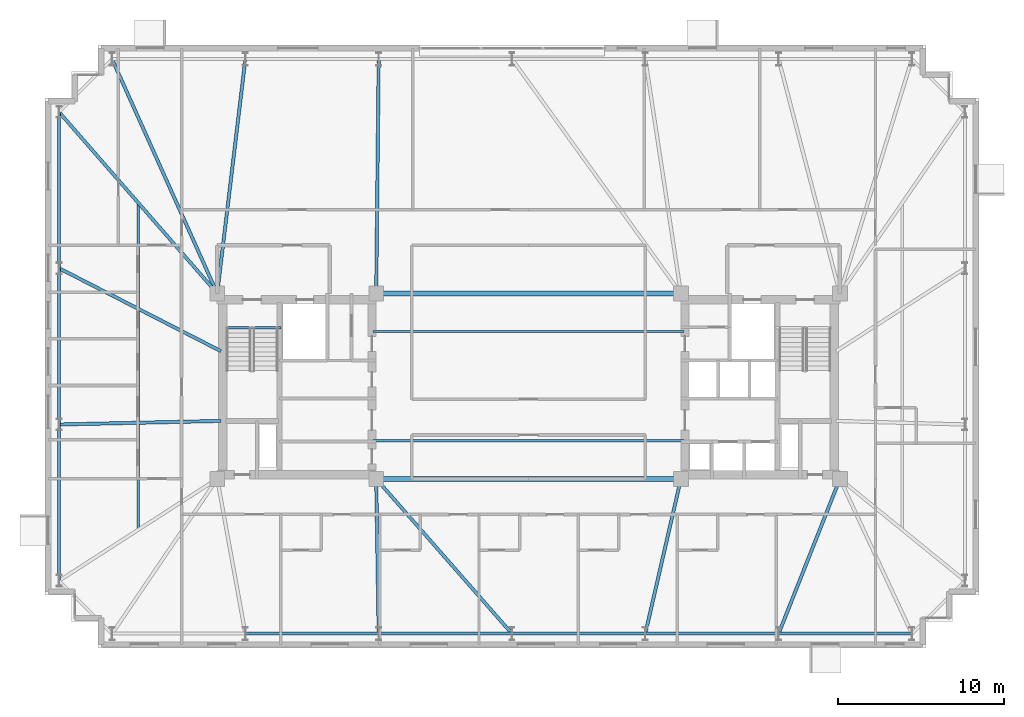
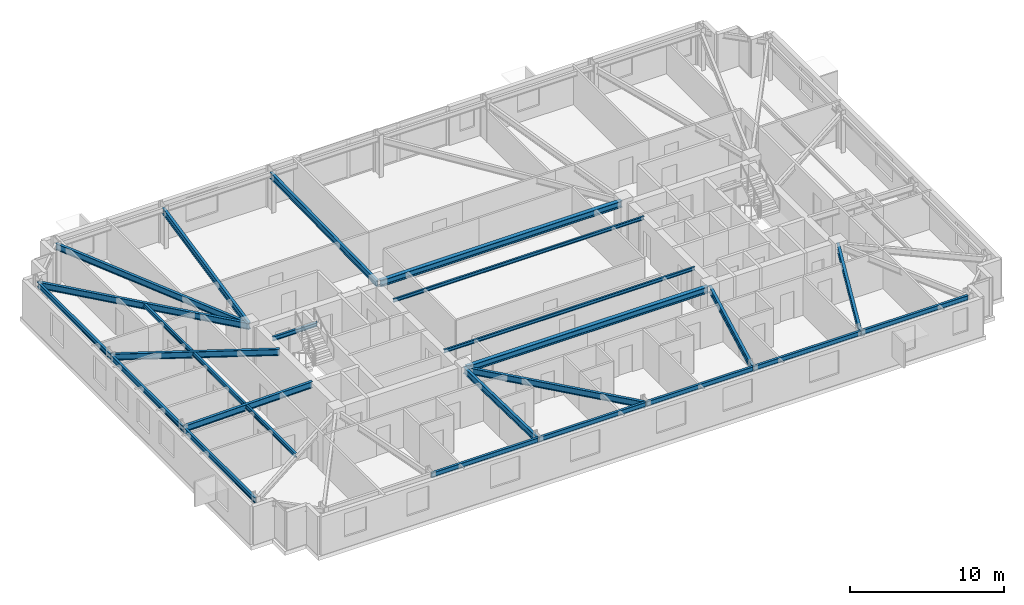
# One storey, part 4 of 18: 24 beams.
"""IFC4 building model written with IfcOpenShell, lengths in metres."""

import ifcopenshell
import ifcopenshell.guid

model = None  # the IFC model being written
_history = None  # IfcOwnerHistory: only IFC2X3 demands one
_inside = {}  # id of a spatial element -> (the spatial element, [elements in it])
_under = {}  # id of a project, library or spatial element -> (it, [spatial elements below it])
_declared = {}  # id of a project -> (the project, [libraries it declares])
_typed = {}  # id of a type object -> (the type object, [elements of that type])
_made_of = {}  # id of a material, layer set ... -> (it, [elements and type objects made of it])


def new_model(schema):
    """Start an empty IFC model of exactly this schema.

    Asked for "IFC4X3", IfcOpenShell would pick the latest addendum, in which some entities
    have other attributes; the version numbers below select the first issue.
    IFC2X3 requires an IfcOwnerHistory on every rooted entity: one is made here for all.
    """
    global model, _history
    if schema == "IFC4X3":
        model = ifcopenshell.file(schema_version=(4, 3, 0, 0))
    else:
        model = ifcopenshell.file(schema=schema)
    _inside.clear()
    _under.clear()
    _declared.clear()
    _typed.clear()
    _made_of.clear()
    _history = None
    if model.schema == "IFC2X3":
        org = make("IfcOrganization", Name="unknown")
        user = make(
            "IfcPersonAndOrganization",
            ThePerson=make("IfcPerson", FamilyName="unknown"),
            TheOrganization=org,
        )
        app = make(
            "IfcApplication",
            ApplicationDeveloper=org,
            Version="unknown",
            ApplicationFullName="unknown",
            ApplicationIdentifier="unknown",
        )
        _history = make(
            "IfcOwnerHistory",
            OwningUser=user,
            OwningApplication=app,
            ChangeAction="ADDED",
            CreationDate=0,
        )
    return model


def make(cls, **values):
    """One entity of the class cls with the attributes given. An attribute that is None is left unset."""
    return model.create_entity(
        cls, **{name: value for name, value in values.items() if value is not None}
    )


def rooted(cls, **values):
    """An entity with a GlobalId (a new one), such as an element, a storey or a relation."""
    return make(cls, GlobalId=ifcopenshell.guid.new(), OwnerHistory=_history, **values)


def si_unit(unit_type, name, prefix=None):
    """IfcSIUnit, for example si_unit("LENGTHUNIT", "METRE", prefix="MILLI")."""
    return make("IfcSIUnit", UnitType=unit_type, Prefix=prefix, Name=name)


def assignment(units):
    """IfcUnitAssignment: the units of a project."""
    return None if units is None else make("IfcUnitAssignment", Units=units)


def point(xyz):
    """IfcCartesianPoint."""
    return None if xyz is None else make("IfcCartesianPoint", Coordinates=xyz)


def direction(xyz):
    """IfcDirection."""
    return None if xyz is None else make("IfcDirection", DirectionRatios=xyz)


def frame(location, z_axis=None, x_axis=None):
    """IfcAxis2Placement3D, a coordinate frame: its origin and axes. An axis left out is left unset."""
    return make(
        "IfcAxis2Placement3D",
        Location=point(location),
        Axis=direction(z_axis),
        RefDirection=direction(x_axis),
    )


def frame_2d(location, x_axis=None):
    """IfcAxis2Placement2D, a coordinate frame in the plane: its origin and x axis."""
    return make(
        "IfcAxis2Placement2D", Location=point(location), RefDirection=direction(x_axis)
    )


def origin():
    """The frame at (0, 0, 0) with its axes left unset."""
    return frame((0.0, 0.0, 0.0))


def origin_2d():
    """The frame at (0, 0) in the plane with its x axis left unset."""
    return frame_2d((0.0, 0.0))


def place(relative_to, where):
    """IfcLocalPlacement: puts the frame where relative to a parent placement (None: the world)."""
    return make(
        "IfcLocalPlacement", PlacementRelTo=relative_to, RelativePlacement=where
    )


def context(
    kind, dimensions, precision=None, world=None, true_north=None, identifier=None
):
    """IfcGeometricRepresentationContext, for example the 3D "Model" context."""
    return make(
        "IfcGeometricRepresentationContext",
        ContextIdentifier=identifier,
        ContextType=kind,
        CoordinateSpaceDimension=dimensions,
        Precision=precision,
        WorldCoordinateSystem=world,
        TrueNorth=true_north,
    )


def subcontext(parent, identifier, kind, view, scale=None):
    """IfcGeometricRepresentationSubContext, for example "Body" below "Model"."""
    return make(
        "IfcGeometricRepresentationSubContext",
        ContextIdentifier=identifier,
        ContextType=kind,
        ParentContext=parent,
        TargetScale=scale,
        TargetView=view,
    )


def project(units=None, contexts=None):
    """IfcProject with its units and contexts."""
    return rooted(
        "IfcProject",
        Name="project",
        RepresentationContexts=contexts,
        UnitsInContext=assignment(units),
    )


def spatial(cls, under=None, at=None, **own):
    """A site, building, storey or space (cls), placed at a placement, below another one or the project."""
    s = rooted(cls, ObjectPlacement=at, **own)
    if under is not None:
        _under.setdefault(under.id(), (under, []))[1].append(s)
    return s


def profile(cls, at=None, kind="AREA", **sizes):
    """A parametric profile (cls). Its sizes go by their IFC names, for example OverallWidth=200.0."""
    return make(cls, ProfileType=kind, Position=at, **sizes)


def i_section(**sizes):
    """IfcIShapeProfileDef."""
    return profile("IfcIShapeProfileDef", **sizes)


def extrude(swept, where, along, depth):
    """IfcExtrudedAreaSolid: the profile swept, set in the frame where, extruded along a direction by depth."""
    return make(
        "IfcExtrudedAreaSolid",
        SweptArea=swept,
        Position=where,
        ExtrudedDirection=direction(along),
        Depth=depth,
    )


def shape(context_of_items, identifier, shape_type, items):
    """IfcShapeRepresentation: the items that make up one representation, for example the "Body"."""
    return make(
        "IfcShapeRepresentation",
        ContextOfItems=context_of_items,
        RepresentationIdentifier=identifier,
        RepresentationType=shape_type,
        Items=items,
    )


def material(Name=None, Category=None):
    """IfcMaterial."""
    return make("IfcMaterial", Name=Name, Category=Category)


def material_profile(
    of_material, cross_section, Name=None, Category=None, Priority=None
):
    """IfcMaterialProfile: a cross section and its material."""
    return make(
        "IfcMaterialProfile",
        Name=Name,
        Material=of_material,
        Profile=cross_section,
        Priority=Priority,
        Category=Category,
    )


def profile_set(profiles, Name=None, composite=None):
    """IfcMaterialProfileSet."""
    return make(
        "IfcMaterialProfileSet",
        Name=Name,
        MaterialProfiles=profiles,
        CompositeProfile=composite,
    )


def made_of(thing, what):
    """Note that an element or type object is made of a material, layer set ...; save() writes the relation."""
    if what is not None:
        _made_of.setdefault(what.id(), (what, []))[1].append(thing)
    return thing


def type_object(cls, material=None, **own):
    """A type object (cls), such as IfcWallType, which elements share."""
    return made_of(rooted(cls, **own), material)


def element(
    cls,
    number,
    at=None,
    inside=None,
    cuts=None,
    type_object=None,
    material=None,
    context=None,
    identifier="Body",
    shape_type=None,
    held_by="IfcProductDefinitionShape",
    body=None,
    shapes=None,
    **own,
):
    """One element of the class cls, such as IfcWall. Its Tag is "e" and its number.

    at: its placement. inside: the storey or other place that contains it. cuts: it is an
    opening in that element (IfcRelVoidsElement). A single representation is given by context,
    identifier, shape_type and body (its items); several are given by shapes. held_by: the class
    of the entity that holds the representations. save() writes the other relations.
    """
    e = rooted(cls, Tag="e%d" % number, ObjectPlacement=at, **own)
    if body is not None:
        shapes = [shape(context, identifier, shape_type, body)]
    if shapes is not None:
        e.Representation = make(held_by, Representations=shapes)
    if inside is not None:
        _inside.setdefault(inside.id(), (inside, []))[1].append(e)
    if cuts is not None:
        rooted(
            "IfcRelVoidsElement", RelatingBuildingElement=cuts, RelatedOpeningElement=e
        )
    if type_object is not None:
        _typed.setdefault(type_object.id(), (type_object, []))[1].append(e)
    return made_of(e, material)


def aggregate(whole, parts):
    """IfcRelAggregates: a whole, such as a stair, and the parts it consists of."""
    return rooted("IfcRelAggregates", RelatingObject=whole, RelatedObjects=parts)


def save(model, path):
    """Write the relations noted so far, then the file.

    IfcRelAggregates (storeys below a building ...), IfcRelContainedInSpatialStructure (elements
    in a storey), IfcRelDefinesByType, IfcRelAssociatesMaterial and IfcRelDeclares: one each for
    every whole, place, type object, material and project.
    """
    for whole, parts in _under.values():
        aggregate(whole, parts)
    for where, things in _inside.values():
        rooted(
            "IfcRelContainedInSpatialStructure",
            RelatedElements=things,
            RelatingStructure=where,
        )
    for kind, things in _typed.values():
        rooted("IfcRelDefinesByType", RelatedObjects=things, RelatingType=kind)
    for what, things in _made_of.values():
        rooted("IfcRelAssociatesMaterial", RelatedObjects=things, RelatingMaterial=what)
    for by, libraries in _declared.values():
        rooted("IfcRelDeclares", RelatingContext=by, RelatedDefinitions=libraries)
    model.write(path)


model = new_model("IFC4")

# Units and contexts
model_context = context("Model", 3, precision=1e-05, world=origin(), true_north=direction((0.0, 1.0)))
body_context = subcontext(model_context, "Body", "Model", "MODEL_VIEW")
ifc_project = project(units=[si_unit("LENGTHUNIT", "METRE"), si_unit("AREAUNIT", "SQUARE_METRE"), si_unit("VOLUMEUNIT", "CUBIC_METRE"), si_unit("PLANEANGLEUNIT", "RADIAN"), si_unit("MASSUNIT", "GRAM", prefix="KILO")], contexts=[model_context])

# Site, building, storey
site_placement = place(None, origin())
site = spatial("IfcSite", under=ifc_project, at=site_placement, CompositionType="ELEMENT")
building_placement = place(site_placement, origin())
building = spatial("IfcBuilding", under=site, at=building_placement, Name="Qobustan Lattice House", CompositionType="ELEMENT")
storey_placement = place(building_placement, frame((0.0, 0.0, 154.449951171875)))
storey = spatial("IfcBuildingStorey", under=building, at=storey_placement, Name="L43", CompositionType="ELEMENT", Elevation=154.449951171875)

# Beams
ifc_material_1 = material(Name="Steel S355", Category="steel")
ifc_material_profile_1 = material_profile(ifc_material_1, i_section(OverallWidth=0.300048828125, OverallDepth=0.5, WebThickness=0.014404296875, FlangeThickness=0.028076171875, FilletRadius=0.027099609375, at=origin_2d()), Name="HEB500")
ifc_profile_set_1 = profile_set([ifc_material_profile_1], Name="Steel S355")
beam_type_1 = type_object("IfcBeamType", Name="BM-CG-HEB500", PredefinedType="USERDEFINED", material=ifc_profile_set_1)
for number, where, z_axis, x_axis, name in (
    (1, (-9.050048828125, -5.60009765625, 2.7900390625), (1.0, 0.0, 0.0), (0.0, 1.0, 0.0), "L43 core spine girder CG-CS"),
    (2, (-9.050048828125, 5.60009765625, 2.7900390625), (1.0, 0.0, 0.0), (0.0, 1.0, 0.0), "L43 core spine girder CG-CN"),
):
    element("IfcBeam", number, at=place(storey_placement, frame(where, z_axis=z_axis, x_axis=x_axis)), inside=storey, type_object=beam_type_1, Name=name, ObjectType="GIRDER", PredefinedType="USERDEFINED", context=body_context, shape_type="SweptSolid", body=[
        extrude(i_section(OverallWidth=0.300048828125, OverallDepth=0.5, WebThickness=0.014404296875, FlangeThickness=0.028076171875, FilletRadius=0.027099609375, at=origin_2d()), origin(), (0.0, 0.0, 1.0), 18.10009765625),
    ])
ifc_material_2 = material(Name="Steel S355", Category="steel")
ifc_material_profile_2 = material_profile(ifc_material_2, i_section(OverallWidth=0.199951171875, OverallDepth=0.5, WebThickness=0.01025390625, FlangeThickness=0.01611328125, FilletRadius=0.02099609375, at=origin_2d()), Name="IPE500")
ifc_profile_set_2 = profile_set([ifc_material_profile_2], Name="Steel S355")
beam_type_2 = type_object("IfcBeamType", Name="BM-FLG-IPE500", PredefinedType="USERDEFINED", material=ifc_profile_set_2)
beam_1_placement = place(storey_placement, frame((-9.05029296875, -14.925048828125, 2.7900390625), z_axis=(-0.016063870849, 0.999870967702, 0.0), x_axis=(-0.999870967702, -0.016063870849, 0.0)))
element("IfcBeam", 3, at=beam_1_placement, inside=storey, type_object=beam_type_2, Name="L43 primary floor girder RAD-S3", ObjectType="GIRDER", PredefinedType="USERDEFINED", context=body_context, shape_type="SweptSolid", body=[
    extrude(i_section(OverallWidth=0.199951171875, OverallDepth=0.5, WebThickness=0.01025390625, FlangeThickness=0.01611328125, FilletRadius=0.02099609375, at=origin_2d()), origin(), (0.0, 0.0, 1.0), 9.30126953125),
])
beam_2_placement = place(storey_placement, frame((-1.0166015625, -14.93115234375, 2.7900390625), z_axis=(-0.659362380156, 0.751825279992, 0.0), x_axis=(-0.751825279992, -0.659362380156, 0.0)))
element("IfcBeam", 4, at=beam_2_placement, inside=storey, type_object=beam_type_2, Name="L43 primary floor girder RAD-S4", ObjectType="GIRDER", PredefinedType="USERDEFINED", context=body_context, shape_type="SweptSolid", body=[
    extrude(i_section(OverallWidth=0.199951171875, OverallDepth=0.5, WebThickness=0.01025390625, FlangeThickness=0.01611328125, FilletRadius=0.02099609375, at=origin_2d()), origin(), (0.0, 0.0, 1.0), 12.38623046875),
])
beam_3_placement = place(storey_placement, frame((7.0556640625, -14.925537109375, 2.7900390625), z_axis=(0.224091568854, 0.974568093449, 0.0), x_axis=(-0.974568093449, 0.224091568854, 0.0)))
element("IfcBeam", 5, at=beam_3_placement, inside=storey, type_object=beam_type_2, Name="L43 primary floor girder RAD-S5", ObjectType="GIRDER", PredefinedType="USERDEFINED", context=body_context, shape_type="SweptSolid", body=[
    extrude(i_section(OverallWidth=0.199951171875, OverallDepth=0.5, WebThickness=0.01025390625, FlangeThickness=0.01611328125, FilletRadius=0.02099609375, at=origin_2d()), origin(), (0.0, 0.0, 1.0), 9.543701171875),
])
beam_4_placement = place(storey_placement, frame((15.109130859375, -14.9267578125, 2.7900390625), z_axis=(0.367963628184, 0.929840184297, 0.0), x_axis=(-0.929840184297, 0.367963628184, 0.0)))
element("IfcBeam", 6, at=beam_4_placement, inside=storey, type_object=beam_type_2, Name="L43 primary floor girder RAD-S6", ObjectType="GIRDER", PredefinedType="USERDEFINED", context=body_context, shape_type="SweptSolid", body=[
    extrude(i_section(OverallWidth=0.199951171875, OverallDepth=0.5, WebThickness=0.01025390625, FlangeThickness=0.01611328125, FilletRadius=0.02099609375, at=origin_2d()), origin(), (0.0, 0.0, 1.0), 10.00537109375),
])
beam_5_placement = place(storey_placement, frame((-25.139892578125, 19.727294921875, 2.7900390625), z_axis=(0.409426782108, -0.912342978321, 0.0), x_axis=(0.912342978321, 0.409426782108, 0.0)))
element("IfcBeam", 7, at=beam_5_placement, inside=storey, type_object=beam_type_2, Name="L43 primary floor girder RAD-N7W", ObjectType="GIRDER", PredefinedType="USERDEFINED", context=body_context, shape_type="SweptSolid", body=[
    extrude(i_section(OverallWidth=0.199951171875, OverallDepth=0.5, WebThickness=0.01025390625, FlangeThickness=0.01611328125, FilletRadius=0.02099609375, at=origin_2d()), origin(), (0.0, 0.0, 1.0), 15.459716796875),
])
beam_6_placement = place(storey_placement, frame((-17.10302734375, 19.72509765625, 2.7900390625), z_axis=(-0.119287572963, -0.992859745854, 0.0), x_axis=(0.992859745854, -0.119287572963, 0.0)))
element("IfcBeam", 8, at=beam_6_placement, inside=storey, type_object=beam_type_2, Name="L43 primary floor girder RAD-N6", ObjectType="GIRDER", PredefinedType="USERDEFINED", context=body_context, shape_type="SweptSolid", body=[
    extrude(i_section(OverallWidth=0.199951171875, OverallDepth=0.5, WebThickness=0.01025390625, FlangeThickness=0.01611328125, FilletRadius=0.02099609375, at=origin_2d()), origin(), (0.0, 0.0, 1.0), 14.20166015625),
])
beam_7_placement = place(storey_placement, frame((-9.05029296875, 19.72509765625, 2.7900390625), z_axis=(-0.010596073732, -0.999943860035, 0.0), x_axis=(0.999943860035, -0.010596073732, 0.0)))
element("IfcBeam", 9, at=beam_7_placement, inside=storey, type_object=beam_type_2, Name="L43 primary floor girder RAD-N5", ObjectType="GIRDER", PredefinedType="USERDEFINED", context=body_context, shape_type="SweptSolid", body=[
    extrude(i_section(OverallWidth=0.199951171875, OverallDepth=0.5, WebThickness=0.01025390625, FlangeThickness=0.01611328125, FilletRadius=0.02099609375, at=origin_2d()), origin(), (0.0, 0.0, 1.0), 14.100830078125),
])
beam_8_placement = place(storey_placement, frame((-28.33349609375, 16.53125, 2.7900390625), z_axis=(0.657282573618, -0.75364422536, 0.0), x_axis=(0.75364422536, 0.657282573618, 0.0)))
element("IfcBeam", 10, at=beam_8_placement, inside=storey, type_object=beam_type_2, Name="L43 primary floor girder RAD-W1", ObjectType="GIRDER", PredefinedType="USERDEFINED", context=body_context, shape_type="SweptSolid", body=[
    extrude(i_section(OverallWidth=0.199951171875, OverallDepth=0.5, WebThickness=0.01025390625, FlangeThickness=0.01611328125, FilletRadius=0.02099609375, at=origin_2d()), origin(), (0.0, 0.0, 1.0), 14.4794921875),
])
beam_9_placement = place(storey_placement, frame((-28.32763671875, 7.105224609375, 2.7900390625), z_axis=(0.89014541584, -0.455676572426, 0.0), x_axis=(0.455676572426, 0.89014541584, 0.0)))
element("IfcBeam", 11, at=beam_9_placement, inside=storey, type_object=beam_type_2, Name="L43 primary floor girder RAD-W2", ObjectType="GIRDER", PredefinedType="USERDEFINED", context=body_context, shape_type="SweptSolid", body=[
    extrude(i_section(OverallWidth=0.199951171875, OverallDepth=0.5, WebThickness=0.01025390625, FlangeThickness=0.01611328125, FilletRadius=0.02099609375, at=origin_2d()), origin(), (0.0, 0.0, 1.0), 10.959228515625),
])
beam_10_placement = place(storey_placement, frame((-28.324951171875, -2.316162109375, 2.7900390625), z_axis=(0.999755655209, 0.022104974047, 0.0), x_axis=(-0.022104974047, 0.999755655209, 0.0)))
element("IfcBeam", 12, at=beam_10_placement, inside=storey, type_object=beam_type_2, Name="L43 primary floor girder RAD-W3", ObjectType="GIRDER", PredefinedType="USERDEFINED", context=body_context, shape_type="SweptSolid", body=[
    extrude(i_section(OverallWidth=0.199951171875, OverallDepth=0.5, WebThickness=0.01025390625, FlangeThickness=0.01611328125, FilletRadius=0.02099609375, at=origin_2d()), origin(), (0.0, 0.0, 1.0), 9.75244140625),
])
ifc_material_3 = material(Name="Steel S355", Category="steel")
ifc_material_profile_3 = material_profile(ifc_material_3, i_section(OverallWidth=0.135009765625, OverallDepth=0.27001953125, WebThickness=0.006591796875, FlangeThickness=0.01025390625, FilletRadius=0.014892578125, at=origin_2d()), Name="IPE270")
ifc_profile_set_3 = profile_set([ifc_material_profile_3], Name="Steel S355")
beam_type_3 = type_object("IfcBeamType", Name="BM-JST-IPE270", PredefinedType="JOIST", material=ifc_profile_set_3)
for number, where, z_axis, x_axis, name in (
    (13, (-9.39990234375, -3.300048828125, 2.905029296875), (1.0, 0.0, 0.0), (0.0, 1.0, 0.0), "L43 central span floor joist 1"),
    (14, (-9.39990234375, 3.300048828125, 2.905029296875), (1.0, 0.0, 0.0), (0.0, 1.0, 0.0), "L43 central span floor joist 2"),
):
    element("IfcBeam", number, at=place(storey_placement, frame(where, z_axis=z_axis, x_axis=x_axis)), inside=storey, type_object=beam_type_3, Name=name, PredefinedType="JOIST", context=body_context, shape_type="SweptSolid", body=[
        extrude(i_section(OverallWidth=0.135009765625, OverallDepth=0.27001953125, WebThickness=0.006591796875, FlangeThickness=0.01025390625, FilletRadius=0.014892578125, at=origin_2d()), origin(), (0.0, 0.0, 1.0), 18.7998046875),
    ])
ifc_material_4 = material(Name="Steel S355", Category="steel")
ifc_material_profile_4 = material_profile(ifc_material_4, i_section(OverallWidth=0.159912109375, OverallDepth=0.330078125, WebThickness=0.007568359375, FlangeThickness=0.011474609375, FilletRadius=0.01806640625, at=origin_2d()), Name="IPE330")
ifc_profile_set_4 = profile_set([ifc_material_profile_4], Name="Steel S355")
beam_type_4 = type_object("IfcBeamType", Name="BM-SEC-IPE330", PredefinedType="BEAM", material=ifc_profile_set_4)
beam_11_placement = place(storey_placement, frame((-23.574951171875, 11.074951171875, 2.875), z_axis=(0.0, -1.0, 0.0), x_axis=(1.0, 0.0, 0.0)))
element("IfcBeam", 15, at=beam_11_placement, inside=storey, type_object=beam_type_4, Name="L43 west wing secondary beam", PredefinedType="BEAM", context=body_context, shape_type="SweptSolid", body=[
    extrude(i_section(OverallWidth=0.159912109375, OverallDepth=0.330078125, WebThickness=0.007568359375, FlangeThickness=0.011474609375, FilletRadius=0.01806640625, at=origin_2d()), origin(), (0.0, 0.0, 1.0), 19.75),
])
ifc_material_5 = material(Name="Steel S355", Category="steel")
ifc_material_profile_5 = material_profile(ifc_material_5, i_section(OverallWidth=0.159912109375, OverallDepth=0.330078125, WebThickness=0.007568359375, FlangeThickness=0.011474609375, FilletRadius=0.01806640625, at=origin_2d()), Name="IPE330")
ifc_profile_set_5 = profile_set([ifc_material_profile_5], Name="Steel S355")
beam_type_5 = type_object("IfcBeamType", Name="BM-SPD-IPE330", PredefinedType="SPANDREL", material=ifc_profile_set_5)
beam_12_placement = place(storey_placement, frame((-18.300048828125, 3.52001953125, 2.875), z_axis=(1.0, 0.0, 0.0), x_axis=(0.0, 1.0, 0.0)))
element("IfcBeam", 16, at=beam_12_placement, inside=storey, type_object=beam_type_5, Name="L43 west stair landing trimmer beam", PredefinedType="SPANDREL", context=body_context, shape_type="SweptSolid", body=[
    extrude(i_section(OverallWidth=0.159912109375, OverallDepth=0.330078125, WebThickness=0.007568359375, FlangeThickness=0.011474609375, FilletRadius=0.01806640625, at=origin_2d()), origin(), (0.0, 0.0, 1.0), 3.35009765625),
])
ifc_material_6 = material(Name="Steel S355", Category="steel")
ifc_material_profile_6 = material_profile(ifc_material_6, i_section(OverallWidth=0.179931640625, OverallDepth=0.39990234375, WebThickness=0.008544921875, FlangeThickness=0.013427734375, FilletRadius=0.02099609375, at=origin_2d()), Name="IPE400")
ifc_profile_set_6 = profile_set([ifc_material_profile_6], Name="Steel S355")
beam_type_6 = type_object("IfcBeamType", Name="BM-SPD-IPE400", PredefinedType="SPANDREL", material=ifc_profile_set_6)
for number, where, z_axis, x_axis, name in (
    (17, (-17.074951171875, -14.949951171875, 2.840087890625), (1.0, 0.0, 0.0), (0.0, 1.0, 0.0), "L43 perimeter spandrel S2-S3"),
    (18, (-9.02490234375, -14.949951171875, 2.840087890625), (1.0, 0.0, 0.0), (0.0, 1.0, 0.0), "L43 perimeter spandrel S3-S4"),
    (19, (-0.97509765625, -14.949951171875, 2.840087890625), (1.0, 0.0, 0.0), (0.0, 1.0, 0.0), "L43 perimeter spandrel S4-S5"),
    (20, (7.074951171875, -14.949951171875, 2.840087890625), (1.0, 0.0, 0.0), (0.0, 1.0, 0.0), "L43 perimeter spandrel S5-S6"),
    (21, (15.125, -14.949951171875, 2.840087890625), (1.0, 0.0, 0.0), (0.0, 1.0, 0.0), "L43 perimeter spandrel S6-S7"),
):
    element("IfcBeam", number, at=place(storey_placement, frame(where, z_axis=z_axis, x_axis=x_axis)), inside=storey, type_object=beam_type_6, Name=name, PredefinedType="SPANDREL", context=body_context, shape_type="SweptSolid", body=[
        extrude(i_section(OverallWidth=0.179931640625, OverallDepth=0.39990234375, WebThickness=0.008544921875, FlangeThickness=0.013427734375, FilletRadius=0.02099609375, at=origin_2d()), origin(), (0.0, 0.0, 1.0), 8.0),
    ])
beam_13_placement = place(storey_placement, frame((-28.35009765625, 16.52490234375, 2.840087890625), z_axis=(0.0, -1.0, 0.0), x_axis=(1.0, 0.0, 0.0)))
element("IfcBeam", 22, at=beam_13_placement, inside=storey, type_object=beam_type_6, Name="L43 perimeter spandrel W1-W2", PredefinedType="SPANDREL", context=body_context, shape_type="SweptSolid", body=[
    extrude(i_section(OverallWidth=0.179931640625, OverallDepth=0.39990234375, WebThickness=0.008544921875, FlangeThickness=0.013427734375, FilletRadius=0.02099609375, at=origin_2d()), origin(), (0.0, 0.0, 1.0), 9.38330078125),
])
beam_14_placement = place(storey_placement, frame((-28.35009765625, 7.091796875, 2.840087890625), z_axis=(0.0, -1.0, 0.0), x_axis=(1.0, 0.0, 0.0)))
element("IfcBeam", 23, at=beam_14_placement, inside=storey, type_object=beam_type_6, Name="L43 perimeter spandrel W2-W3", PredefinedType="SPANDREL", context=body_context, shape_type="SweptSolid", body=[
    extrude(i_section(OverallWidth=0.179931640625, OverallDepth=0.39990234375, WebThickness=0.008544921875, FlangeThickness=0.013427734375, FilletRadius=0.02099609375, at=origin_2d()), origin(), (0.0, 0.0, 1.0), 9.383544921875),
])
beam_15_placement = place(storey_placement, frame((-28.35009765625, -2.341796875, 2.840087890625), z_axis=(0.0, -1.0, 0.0), x_axis=(1.0, 0.0, 0.0)))
element("IfcBeam", 24, at=beam_15_placement, inside=storey, type_object=beam_type_6, Name="L43 perimeter spandrel W3-W4", PredefinedType="SPANDREL", context=body_context, shape_type="SweptSolid", body=[
    extrude(i_section(OverallWidth=0.179931640625, OverallDepth=0.39990234375, WebThickness=0.008544921875, FlangeThickness=0.013427734375, FilletRadius=0.02099609375, at=origin_2d()), origin(), (0.0, 0.0, 1.0), 9.38330078125),
])

save(model, "model.ifc")
